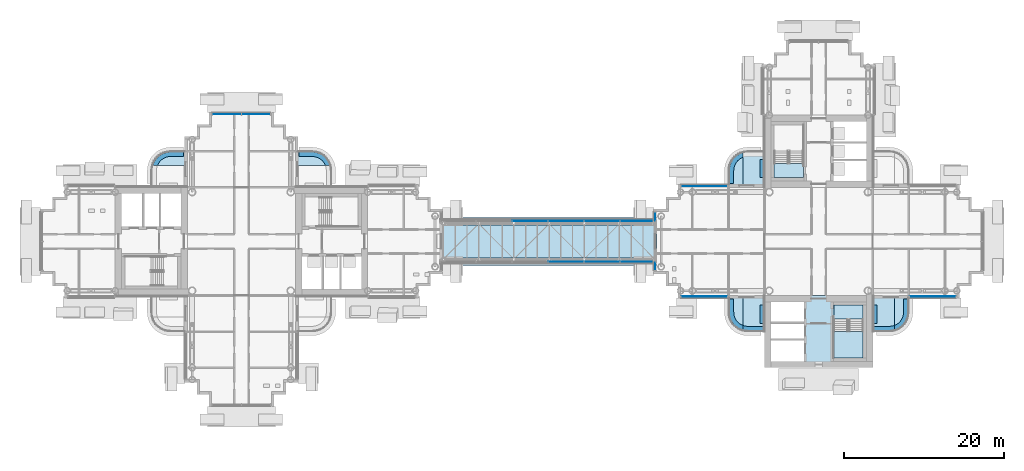
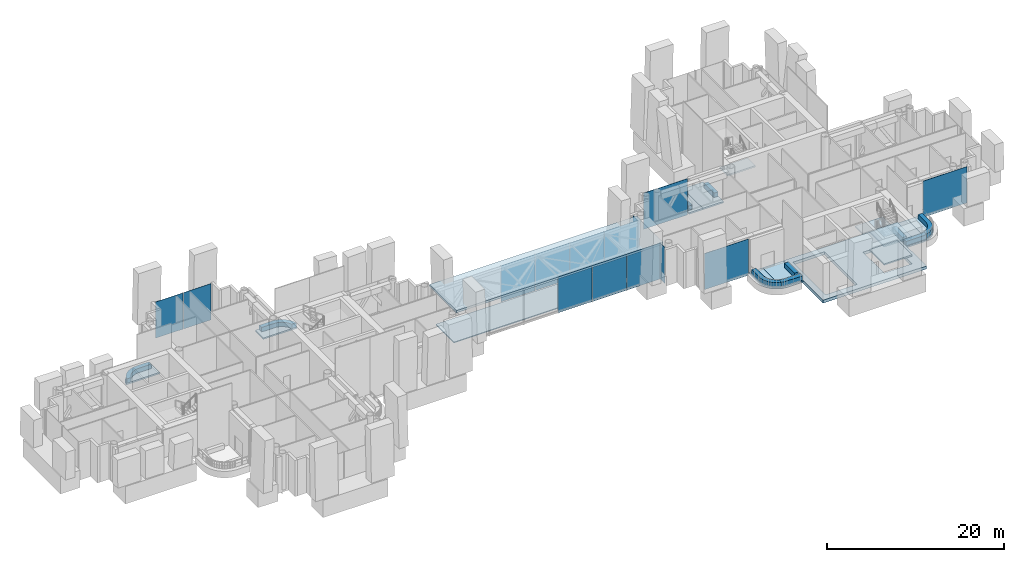
# One storey, part 10 of 34: 25 slabs, 14 plates, 10 elements without a shape of their own.
"""IFC4 building model written with IfcOpenShell, lengths in metres."""

from ifc_helpers import new_model, si_unit, direction, frame, origin, origin_2d, place, context, subcontext, project, spatial, polyline, rectangle, outline, extrude, material, layer, layer_set, type_object, element, aggregate, save


model = new_model("IFC4")

# Units and contexts
model_context = context("Model", 3, precision=1e-05, world=origin(), true_north=direction((0.0, 1.0)))
body_context = subcontext(model_context, "Body", "Model", "MODEL_VIEW")
ifc_project = project(units=[si_unit("LENGTHUNIT", "METRE"), si_unit("AREAUNIT", "SQUARE_METRE"), si_unit("VOLUMEUNIT", "CUBIC_METRE"), si_unit("PLANEANGLEUNIT", "RADIAN"), si_unit("MASSUNIT", "GRAM", prefix="KILO")], contexts=[model_context])

# Site, building, storey
site_placement = place(None, origin())
site = spatial("IfcSite", under=ifc_project, at=site_placement, CompositionType="ELEMENT")
building_placement = place(site_placement, origin())
building = spatial("IfcBuilding", under=site, at=building_placement, Name="Ipe Terrace Towers", CompositionType="ELEMENT")
storey_placement = place(building_placement, frame((0.0, 0.0, 128.699951171875)))
storey = spatial("IfcBuildingStorey", under=building, at=storey_placement, Name="L35", CompositionType="ELEMENT", Elevation=128.699951171875)

# Slabs
ifc_material_1 = material(Name="Concrete C30/37", Category="concrete")
ifc_layer_1 = layer(ifc_material_1, 0.199951171875)
ifc_layer_set_1 = layer_set([ifc_layer_1], Name="BALCONY SLAB 200")
slab_type_1 = type_object("IfcSlabType", Name="BALCONY SLAB 200", PredefinedType="FLOOR", material=ifc_layer_set_1)
slab_1_placement = place(storey_placement, frame((0.0, 0.0, -0.219970703125)))
element("IfcSlab", 1, at=slab_1_placement, inside=storey, type_object=slab_type_1, Name="balcony slab", PredefinedType="FLOOR", context=body_context, shape_type="SweptSolid", body=[
    extrude(outline(polyline([(-42.75, 11.25), (-44.85009765625, 11.25), (-45.1630859375, 11.22900390625), (-45.470947265625, 11.16796875), (-45.76806640625, 11.06689453125), (-46.050048828125, 10.927978515625), (-46.31103515625, 10.75390625), (-46.547119140625, 10.547119140625), (-46.75390625, 10.31103515625), (-46.927978515625, 10.050048828125), (-47.06689453125, 9.76806640625), (-47.16796875, 9.470947265625), (-47.172119140625, 9.449951171875), (-42.75, 9.449951171875), (-42.75, 11.25)])), origin(), (0.0, 0.0, 1.0), 0.199951171875),
])
slab_2_placement = place(storey_placement, frame((0.0, 0.0, -0.219970703125)))
element("IfcSlab", 2, at=slab_2_placement, inside=storey, type_object=slab_type_1, Name="balcony slab", PredefinedType="FLOOR", context=body_context, shape_type="SweptSolid", body=[
    extrude(outline(polyline([(-29.25, 11.25), (-29.25, 9.449951171875), (-24.827880859375, 9.449951171875), (-24.83203125, 9.470947265625), (-24.93310546875, 9.76806640625), (-25.072021484375, 10.050048828125), (-25.24609375, 10.31103515625), (-25.452880859375, 10.547119140625), (-25.68896484375, 10.75390625), (-25.949951171875, 10.927978515625), (-26.23193359375, 11.06689453125), (-26.529052734375, 11.16796875), (-26.8369140625, 11.22900390625), (-27.14990234375, 11.25), (-29.25, 11.25)])), origin(), (0.0, 0.0, 1.0), 0.199951171875),
])
slab_3_placement = place(storey_placement, frame((0.0, 0.0, -0.219970703125)))
element("IfcSlab", 3, at=slab_3_placement, inside=storey, type_object=slab_type_1, Name="balcony slab", PredefinedType="FLOOR", context=body_context, shape_type="SweptSolid", body=[
    extrude(outline(polyline([(26.8369140625, -11.22900390625), (27.14990234375, -11.25), (29.25, -11.25), (29.25, -6.75), (26.550048828125, -6.75), (26.550048828125, -11.172119140625), (26.8369140625, -11.22900390625)])), origin(), (0.0, 0.0, 1.0), 0.199951171875),
])
slab_4_placement = place(storey_placement, frame((0.0, 0.0, -0.219970703125)))
element("IfcSlab", 4, at=slab_4_placement, inside=storey, type_object=slab_type_1, Name="balcony slab", PredefinedType="FLOOR", context=body_context, shape_type="SweptSolid", body=[
    extrude(outline(polyline([(24.75, -6.75), (24.75, -8.85009765625), (24.77099609375, -9.1630859375), (24.83203125, -9.470947265625), (24.93310546875, -9.76806640625), (25.072021484375, -10.050048828125), (25.24609375, -10.31103515625), (25.452880859375, -10.547119140625), (25.68896484375, -10.75390625), (25.949951171875, -10.927978515625), (26.23193359375, -11.06689453125), (26.529052734375, -11.16796875), (26.550048828125, -11.172119140625), (26.550048828125, -6.75), (24.75, -6.75)])), origin(), (0.0, 0.0, 1.0), 0.199951171875),
])
slab_5_placement = place(storey_placement, frame((0.0, 0.0, -0.219970703125)))
element("IfcSlab", 5, at=slab_5_placement, inside=storey, type_object=slab_type_1, Name="balcony slab", PredefinedType="FLOOR", context=body_context, shape_type="SweptSolid", body=[
    extrude(outline(polyline([(26.8369140625, 11.22900390625), (26.550048828125, 11.172119140625), (26.550048828125, 6.75), (29.25, 6.75), (29.25, 11.25), (27.14990234375, 11.25), (26.8369140625, 11.22900390625)])), origin(), (0.0, 0.0, 1.0), 0.199951171875),
])
slab_6_placement = place(storey_placement, frame((0.0, 0.0, -0.219970703125)))
element("IfcSlab", 6, at=slab_6_placement, inside=storey, type_object=slab_type_1, Name="balcony slab", PredefinedType="FLOOR", context=body_context, shape_type="SweptSolid", body=[
    extrude(outline(polyline([(24.75, 6.75), (26.550048828125, 6.75), (26.550048828125, 11.172119140625), (26.529052734375, 11.16796875), (26.23193359375, 11.06689453125), (25.949951171875, 10.927978515625), (25.68896484375, 10.75390625), (25.452880859375, 10.547119140625), (25.24609375, 10.31103515625), (25.072021484375, 10.050048828125), (24.93310546875, 9.76806640625), (24.83203125, 9.470947265625), (24.77099609375, 9.1630859375), (24.75, 8.85009765625), (24.75, 6.75)])), origin(), (0.0, 0.0, 1.0), 0.199951171875),
])
slab_7_placement = place(storey_placement, frame((0.0, 0.0, -0.219970703125)))
element("IfcSlab", 7, at=slab_7_placement, inside=storey, type_object=slab_type_1, Name="balcony slab", PredefinedType="FLOOR", context=body_context, shape_type="SweptSolid", body=[
    extrude(outline(polyline([(45.1630859375, -11.22900390625), (45.449951171875, -11.172119140625), (45.449951171875, -6.75), (42.75, -6.75), (42.75, -11.25), (44.85009765625, -11.25), (45.1630859375, -11.22900390625)])), origin(), (0.0, 0.0, 1.0), 0.199951171875),
])
slab_8_placement = place(storey_placement, frame((0.0, 0.0, -0.219970703125)))
element("IfcSlab", 8, at=slab_8_placement, inside=storey, type_object=slab_type_1, Name="balcony slab", PredefinedType="FLOOR", context=body_context, shape_type="SweptSolid", body=[
    extrude(outline(polyline([(47.25, -6.75), (45.449951171875, -6.75), (45.449951171875, -11.172119140625), (45.470947265625, -11.16796875), (45.76806640625, -11.06689453125), (46.050048828125, -10.927978515625), (46.31103515625, -10.75390625), (46.547119140625, -10.547119140625), (46.75390625, -10.31103515625), (46.927978515625, -10.050048828125), (47.06689453125, -9.76806640625), (47.16796875, -9.470947265625), (47.22900390625, -9.1630859375), (47.25, -8.85009765625), (47.25, -6.75)])), origin(), (0.0, 0.0, 1.0), 0.199951171875),
])

# Curtain wall, plates
ifc_material_2 = material(Name="Aluminium alloy 6063-T6", Category="aluminium")
ifc_layer_2 = layer(ifc_material_2, 0.300048828125)
ifc_layer_set_2 = layer_set([ifc_layer_2], Name="BRIDGE ENCLOSURE CURTAIN WALL")
curtain_wall_type_1 = type_object("IfcCurtainWallType", Name="BRIDGE ENCLOSURE CURTAIN WALL", PredefinedType="NOTDEFINED", material=ifc_layer_set_2)
curtain_wall_1_placement = place(storey_placement, origin())
curtain_wall_1 = element("IfcCurtainWall", 9, at=curtain_wall_1_placement, inside=storey, type_object=curtain_wall_type_1, Name="BR2-CW1 curtain wall", PredefinedType="NOTDEFINED")
ifc_material_3 = material(Name="Glass, clear laminated", Category="glass")
ifc_layer_3 = layer(ifc_material_3, 0.035888671875)
ifc_layer_set_3 = layer_set([ifc_layer_3], Name="BRIDGE ENCLOSURE GLASS PANEL 36")
plate_type_1 = type_object("IfcPlateType", Name="BRIDGE ENCLOSURE GLASS PANEL 36", PredefinedType="CURTAIN_PANEL", material=ifc_layer_set_3)
plate_1_placement = place(storey_placement, frame((13.470947265625, 2.544921875, -0.300048828125), z_axis=(0.0, 0.0, 1.0), x_axis=(-1.0, 0.0, 0.0)))
plate_1 = element("IfcPlate", 10, at=plate_1_placement, type_object=plate_type_1, Name="BR2-CW1 panel 1", PredefinedType="CURTAIN_PANEL", context=body_context, shape_type="SweptSolid", body=[
    extrude(rectangle(XDim=4.418212890625, YDim=0.035888671875, at=origin_2d()), origin(), (0.0, 0.0, 1.0), 5.0),
])
plate_2_placement = place(storey_placement, frame((8.982421875, 2.544921875, -0.300048828125), z_axis=(0.0, 0.0, 1.0), x_axis=(-1.0, 0.0, 0.0)))
plate_2 = element("IfcPlate", 11, at=plate_2_placement, type_object=plate_type_1, Name="BR2-CW1 panel 2", PredefinedType="CURTAIN_PANEL", context=body_context, shape_type="SweptSolid", body=[
    extrude(rectangle(XDim=4.418212890625, YDim=0.035888671875, at=origin_2d()), origin(), (0.0, 0.0, 1.0), 5.0),
])
plate_3_placement = place(storey_placement, frame((4.494140625, 2.544921875, -0.300048828125), z_axis=(0.0, 0.0, 1.0), x_axis=(-1.0, 0.0, 0.0)))
plate_3 = element("IfcPlate", 12, at=plate_3_placement, type_object=plate_type_1, Name="BR2-CW1 panel 3", PredefinedType="CURTAIN_PANEL", context=body_context, shape_type="SweptSolid", body=[
    extrude(rectangle(XDim=4.418212890625, YDim=0.035888671875, at=origin_2d()), origin(), (0.0, 0.0, 1.0), 5.0),
])
plate_4_placement = place(storey_placement, frame((0.005859375, 2.544921875, -0.300048828125), z_axis=(0.0, 0.0, 1.0), x_axis=(-1.0, 0.0, 0.0)))
plate_4 = element("IfcPlate", 13, at=plate_4_placement, type_object=plate_type_1, Name="BR2-CW1 panel 4", PredefinedType="CURTAIN_PANEL", context=body_context, shape_type="SweptSolid", body=[
    extrude(rectangle(XDim=4.418212890625, YDim=0.035888671875, at=origin_2d()), origin(), (0.0, 0.0, 1.0), 5.0),
])
aggregate(curtain_wall_1, [plate_1, plate_2, plate_3, plate_4])

curtain_wall_2_placement = place(storey_placement, origin())
curtain_wall_2 = element("IfcCurtainWall", 14, at=curtain_wall_2_placement, inside=storey, type_object=curtain_wall_type_1, Name="BR2-CW2 curtain wall", PredefinedType="NOTDEFINED")
plate_5_placement = place(storey_placement, frame((4.494140625, -2.544921875, -0.300048828125), z_axis=(0.0, 0.0, 1.0), x_axis=(1.0, 0.0, 0.0)))
plate_5 = element("IfcPlate", 15, at=plate_5_placement, type_object=plate_type_1, Name="BR2-CW2 panel 4", PredefinedType="CURTAIN_PANEL", context=body_context, shape_type="SweptSolid", body=[
    extrude(rectangle(XDim=4.418212890625, YDim=0.035888671875, at=origin_2d()), origin(), (0.0, 0.0, 1.0), 5.0),
])
plate_6_placement = place(storey_placement, frame((8.982421875, -2.544921875, -0.300048828125), z_axis=(0.0, 0.0, 1.0), x_axis=(1.0, 0.0, 0.0)))
plate_6 = element("IfcPlate", 16, at=plate_6_placement, type_object=plate_type_1, Name="BR2-CW2 panel 5", PredefinedType="CURTAIN_PANEL", context=body_context, shape_type="SweptSolid", body=[
    extrude(rectangle(XDim=4.418212890625, YDim=0.035888671875, at=origin_2d()), origin(), (0.0, 0.0, 1.0), 5.0),
])
plate_7_placement = place(storey_placement, frame((13.470947265625, -2.544921875, -0.300048828125), z_axis=(0.0, 0.0, 1.0), x_axis=(1.0, 0.0, 0.0)))
plate_7 = element("IfcPlate", 17, at=plate_7_placement, type_object=plate_type_1, Name="BR2-CW2 panel 6", PredefinedType="CURTAIN_PANEL", context=body_context, shape_type="SweptSolid", body=[
    extrude(rectangle(XDim=4.418212890625, YDim=0.035888671875, at=origin_2d()), origin(), (0.0, 0.0, 1.0), 5.0),
])
aggregate(curtain_wall_2, [plate_5, plate_6, plate_7])

# Slabs
ifc_material_4 = material(Name="Concrete C30/37", Category="concrete")
ifc_layer_4 = layer(ifc_material_4, 0.300048828125)
ifc_layer_set_4 = layer_set([ifc_layer_4], Name="BRIDGE ROOF SLAB 300")
slab_type_2 = type_object("IfcSlabType", Name="BRIDGE ROOF SLAB 300", PredefinedType="ROOF", material=ifc_layer_set_4)
slab_9_placement = place(storey_placement, frame((0.0, 0.0, 4.699951171875)))
element("IfcSlab", 18, at=slab_9_placement, inside=storey, type_object=slab_type_2, Name="BR2 roof slab", PredefinedType="ROOF", context=body_context, shape_type="SweptSolid", body=[
    extrude(outline(polyline([(-11.25, -3.0), (15.75, -3.0), (15.75, 3.0), (-11.25, 3.0), (-11.25, -3.0)])), origin(), (0.0, 0.0, 1.0), 0.300048828125),
])
ifc_material_5 = material(Name="Concrete C30/37", Category="concrete")
ifc_layer_5 = layer(ifc_material_5, 0.1201171875)
ifc_layer_set_5 = layer_set([ifc_layer_5], Name="BRIDGE-DECK SLAB 120")
slab_type_3 = type_object("IfcSlabType", Name="BRIDGE-DECK SLAB 120", PredefinedType="FLOOR", material=ifc_layer_set_5)
slab_10_placement = place(storey_placement, frame((0.0, 0.0, -0.119873046875)))
element("IfcSlab", 19, at=slab_10_placement, inside=storey, type_object=slab_type_3, Name="BR2-DS bridge deck", PredefinedType="FLOOR", context=body_context, shape_type="SweptSolid", body=[
    extrude(outline(polyline([(-11.0, -2.050048828125), (15.75, -2.050048828125), (15.75, 2.050048828125), (-11.0, 2.050048828125), (-11.0, -2.050048828125)])), origin(), (0.0, 0.0, 1.0), 0.119873046875),
])
ifc_material_6 = material(Name="Concrete C30/37", Category="concrete")
ifc_layer_6 = layer(ifc_material_6, 0.39990234375)
ifc_layer_set_6 = layer_set([ifc_layer_6], Name="CORE FLOOR SLAB 400 C30-37")
slab_type_4 = type_object("IfcSlabType", Name="CORE FLOOR SLAB 400 C30-37", PredefinedType="FLOOR", material=ifc_layer_set_6)
slab_11_placement = place(storey_placement, frame((0.0, 0.0, -0.39990234375)))
element("IfcSlab", 20, at=slab_11_placement, inside=storey, type_object=slab_type_4, Name="Core floor T2-C2", PredefinedType="FLOOR", context=body_context, shape_type="SweptSolid", body=[
    extrude(outline(polyline([(29.25, -15.75), (29.25, -6.75), (42.75, -6.75), (42.75, -15.75), (29.25, -15.75)]), holes=[polyline([(34.14990234375, -14.949951171875), (34.14990234375, -7.550048828125), (30.050048828125, -7.550048828125), (30.050048828125, -14.949951171875), (34.14990234375, -14.949951171875)]), polyline([(41.550048828125, -9.800048828125), (37.89990234375, -9.800048828125), (37.89990234375, -14.550048828125), (41.550048828125, -14.550048828125), (41.550048828125, -9.800048828125)])]), origin(), (0.0, 0.0, 1.0), 0.39990234375),
])

# Stair, slab
ifc_material_7 = material(Name="Concrete C30/37", Category="concrete")
stair_type = type_object("IfcStairType", Name="Protected exit stair", PredefinedType="HALF_TURN_STAIR", material=ifc_material_7)
stair_1_placement = place(storey_placement, origin())
stair_1 = element("IfcStair", 21, at=stair_1_placement, inside=storey, type_object=stair_type, Name="L35 Exit stair T2-C1", PredefinedType="HALF_TURN_STAIR")
ifc_material_8 = material(Name="Concrete C30/37", Category="concrete")
ifc_layer_7 = layer(ifc_material_8, 0.199951171875)
ifc_layer_set_7 = layer_set([ifc_layer_7], Name="Exit stair landing 200")
slab_type_5 = type_object("IfcSlabType", Name="Exit stair landing 200", PredefinedType="LANDING", material=ifc_layer_set_7)
slab_12_placement = place(storey_placement, frame((0.0, 0.0, 2.300048828125)))
slab_12 = element("IfcSlab", 22, at=slab_12_placement, type_object=slab_type_5, Name="T2-ST1 landing 2", PredefinedType="LANDING", context=body_context, shape_type="SweptSolid", body=[
    extrude(outline(polyline([(34.10009765625, 7.949951171875), (34.10009765625, 9.699951171875), (30.449951171875, 9.699951171875), (30.449951171875, 7.949951171875), (34.10009765625, 7.949951171875)])), origin(), (0.0, 0.0, 1.0), 0.199951171875),
])
aggregate(stair_1, [slab_12])

# Stair, slabs
stair_2_placement = place(storey_placement, origin())
stair_2 = element("IfcStair", 23, at=stair_2_placement, inside=storey, type_object=stair_type, Name="L35 Exit stair T2-C2", PredefinedType="HALF_TURN_STAIR")
slab_13_placement = place(storey_placement, frame((0.0, 0.0, 1.050048828125)))
slab_13 = element("IfcSlab", 24, at=slab_13_placement, type_object=slab_type_5, Name="T2-ST2 landing 1", PredefinedType="LANDING", context=body_context, shape_type="SweptSolid", body=[
    extrude(outline(polyline([(37.89990234375, -11.260009765625), (37.89990234375, -14.550048828125), (41.550048828125, -14.550048828125), (41.550048828125, -11.260009765625), (37.89990234375, -11.260009765625)])), origin(), (0.0, 0.0, 1.0), 0.199951171875),
])
slab_14_placement = place(storey_placement, frame((0.0, 0.0, 2.300048828125)))
slab_14 = element("IfcSlab", 25, at=slab_14_placement, type_object=slab_type_5, Name="T2-ST2 landing 2", PredefinedType="LANDING", context=body_context, shape_type="SweptSolid", body=[
    extrude(outline(polyline([(37.89990234375, -7.949951171875), (37.89990234375, -9.699951171875), (41.550048828125, -9.699951171875), (41.550048828125, -7.949951171875), (37.89990234375, -7.949951171875)])), origin(), (0.0, 0.0, 1.0), 0.199951171875),
])
slab_15_placement = place(storey_placement, frame((0.0, 0.0, 3.550048828125)))
slab_15 = element("IfcSlab", 26, at=slab_15_placement, type_object=slab_type_5, Name="T2-ST2 landing 3", PredefinedType="LANDING", context=body_context, shape_type="SweptSolid", body=[
    extrude(outline(polyline([(37.89990234375, -11.260009765625), (37.89990234375, -14.550048828125), (41.550048828125, -14.550048828125), (41.550048828125, -11.260009765625), (37.89990234375, -11.260009765625)])), origin(), (0.0, 0.0, 1.0), 0.199951171875),
])
aggregate(stair_2, [slab_13, slab_14, slab_15])

# Slabs
ifc_material_9 = material(Name="Concrete C30/37", Category="concrete")
ifc_layer_8 = layer(ifc_material_9, 0.60009765625)
ifc_layer_set_8 = layer_set([ifc_layer_8], Name="PLANTER TROUGH 550 x 600")
slab_type_6 = type_object("IfcSlabType", Name="PLANTER TROUGH 550 x 600", PredefinedType="USERDEFINED", material=ifc_layer_set_8)
slab_16_placement = place(storey_placement, frame((0.0, 0.0, -0.02001953125)))
element("IfcSlab", 27, at=slab_16_placement, inside=storey, type_object=slab_type_6, Name="planter", ObjectType="PLANTER", PredefinedType="USERDEFINED", context=body_context, shape_type="SweptSolid", body=[
    extrude(outline(polyline([(-46.4560546875, 9.514892578125), (-46.35595703125, 9.718994140625), (-46.22900390625, 9.907958984375), (-46.0791015625, 10.0791015625), (-45.907958984375, 10.22900390625), (-45.718994140625, 10.35595703125), (-45.514892578125, 10.4560546875), (-45.300048828125, 10.529052734375), (-45.076904296875, 10.573974609375), (-44.827880859375, 10.590087890625), (-43.199951171875, 10.590087890625), (-43.199951171875, 11.139892578125), (-44.8369140625, 11.139892578125), (-44.85498046875, 11.138916015625), (-45.131103515625, 11.12109375), (-45.1669921875, 11.116943359375), (-45.425048828125, 11.06494140625), (-45.4599609375, 11.055908203125), (-45.708984375, 10.970947265625), (-45.741943359375, 10.95703125), (-45.97900390625, 10.841064453125), (-46.010009765625, 10.822998046875), (-46.22900390625, 10.677001953125), (-46.257080078125, 10.655029296875), (-46.4560546875, 10.48095703125), (-46.48095703125, 10.4560546875), (-46.655029296875, 10.257080078125), (-46.677001953125, 10.22900390625), (-46.822998046875, 10.010009765625), (-46.841064453125, 9.97900390625), (-46.95703125, 9.741943359375), (-46.970947265625, 9.708984375), (-47.055908203125, 9.4599609375), (-47.05908203125, 9.449951171875), (-46.47802734375, 9.449951171875), (-46.4560546875, 9.514892578125)])), origin(), (0.0, 0.0, 1.0), 0.60009765625),
])
slab_17_placement = place(storey_placement, frame((0.0, 0.0, -0.02001953125)))
element("IfcSlab", 28, at=slab_17_placement, inside=storey, type_object=slab_type_6, Name="planter", ObjectType="PLANTER", PredefinedType="USERDEFINED", context=body_context, shape_type="SweptSolid", body=[
    extrude(outline(polyline([(-25.5439453125, 9.514892578125), (-25.52197265625, 9.449951171875), (-24.94091796875, 9.449951171875), (-24.944091796875, 9.4599609375), (-25.029052734375, 9.708984375), (-25.04296875, 9.741943359375), (-25.158935546875, 9.97900390625), (-25.177001953125, 10.010009765625), (-25.322998046875, 10.22900390625), (-25.344970703125, 10.257080078125), (-25.51904296875, 10.4560546875), (-25.5439453125, 10.48095703125), (-25.742919921875, 10.655029296875), (-25.77099609375, 10.677001953125), (-25.989990234375, 10.822998046875), (-26.02099609375, 10.841064453125), (-26.258056640625, 10.95703125), (-26.291015625, 10.970947265625), (-26.5400390625, 11.055908203125), (-26.574951171875, 11.06494140625), (-26.8330078125, 11.116943359375), (-26.868896484375, 11.12109375), (-27.14501953125, 11.138916015625), (-27.1630859375, 11.139892578125), (-28.800048828125, 11.139892578125), (-28.800048828125, 10.590087890625), (-27.172119140625, 10.590087890625), (-26.923095703125, 10.573974609375), (-26.699951171875, 10.529052734375), (-26.485107421875, 10.4560546875), (-26.281005859375, 10.35595703125), (-26.092041015625, 10.22900390625), (-25.9208984375, 10.0791015625), (-25.77099609375, 9.907958984375), (-25.64404296875, 9.718994140625), (-25.5439453125, 9.514892578125)])), origin(), (0.0, 0.0, 1.0), 0.60009765625),
])
slab_18_placement = place(storey_placement, frame((0.0, 0.0, -0.02001953125)))
element("IfcSlab", 29, at=slab_18_placement, inside=storey, type_object=slab_type_6, Name="planter", ObjectType="PLANTER", PredefinedType="USERDEFINED", context=body_context, shape_type="SweptSolid", body=[
    extrude(outline(polyline([(26.699951171875, -10.529052734375), (26.550048828125, -10.47802734375), (26.550048828125, -11.05908203125), (26.574951171875, -11.06494140625), (26.8330078125, -11.116943359375), (26.868896484375, -11.12109375), (27.14501953125, -11.138916015625), (27.1630859375, -11.139892578125), (29.25, -11.139892578125), (29.25, -10.590087890625), (27.172119140625, -10.590087890625), (26.923095703125, -10.573974609375), (26.699951171875, -10.529052734375)])), origin(), (0.0, 0.0, 1.0), 0.60009765625),
])
slab_19_placement = place(storey_placement, frame((0.0, 0.0, -0.02001953125)))
element("IfcSlab", 30, at=slab_19_placement, inside=storey, type_object=slab_type_6, Name="planter", ObjectType="PLANTER", PredefinedType="USERDEFINED", context=body_context, shape_type="SweptSolid", body=[
    extrude(outline(polyline([(26.485107421875, -10.4560546875), (26.281005859375, -10.35595703125), (26.092041015625, -10.22900390625), (25.9208984375, -10.0791015625), (25.77099609375, -9.907958984375), (25.64404296875, -9.718994140625), (25.5439453125, -9.514892578125), (25.470947265625, -9.300048828125), (25.426025390625, -9.076904296875), (25.409912109375, -8.827880859375), (25.409912109375, -7.199951171875), (24.860107421875, -7.199951171875), (24.860107421875, -8.8369140625), (24.861083984375, -8.85498046875), (24.87890625, -9.131103515625), (24.883056640625, -9.1669921875), (24.93505859375, -9.425048828125), (24.944091796875, -9.4599609375), (25.029052734375, -9.708984375), (25.04296875, -9.741943359375), (25.158935546875, -9.97900390625), (25.177001953125, -10.010009765625), (25.322998046875, -10.22900390625), (25.344970703125, -10.257080078125), (25.51904296875, -10.4560546875), (25.5439453125, -10.48095703125), (25.742919921875, -10.655029296875), (25.77099609375, -10.677001953125), (25.989990234375, -10.822998046875), (26.02099609375, -10.841064453125), (26.258056640625, -10.95703125), (26.291015625, -10.970947265625), (26.5400390625, -11.055908203125), (26.550048828125, -11.05908203125), (26.550048828125, -10.47802734375), (26.485107421875, -10.4560546875)])), origin(), (0.0, 0.0, 1.0), 0.60009765625),
])
slab_20_placement = place(storey_placement, frame((0.0, 0.0, -0.02001953125)))
element("IfcSlab", 31, at=slab_20_placement, inside=storey, type_object=slab_type_6, Name="planter", ObjectType="PLANTER", PredefinedType="USERDEFINED", context=body_context, shape_type="SweptSolid", body=[
    extrude(outline(polyline([(29.25, -7.949951171875), (28.699951171875, -7.949951171875), (28.699951171875, -10.25), (29.25, -10.25), (29.25, -7.949951171875)])), origin(), (0.0, 0.0, 1.0), 0.60009765625),
])
slab_21_placement = place(storey_placement, frame((0.0, 0.0, -0.02001953125)))
element("IfcSlab", 32, at=slab_21_placement, inside=storey, type_object=slab_type_6, Name="planter", ObjectType="PLANTER", PredefinedType="USERDEFINED", context=body_context, shape_type="SweptSolid", body=[
    extrude(outline(polyline([(26.485107421875, 10.4560546875), (26.550048828125, 10.47802734375), (26.550048828125, 11.05908203125), (26.5400390625, 11.055908203125), (26.291015625, 10.970947265625), (26.258056640625, 10.95703125), (26.02099609375, 10.841064453125), (25.989990234375, 10.822998046875), (25.77099609375, 10.677001953125), (25.742919921875, 10.655029296875), (25.5439453125, 10.48095703125), (25.51904296875, 10.4560546875), (25.344970703125, 10.257080078125), (25.322998046875, 10.22900390625), (25.177001953125, 10.010009765625), (25.158935546875, 9.97900390625), (25.04296875, 9.741943359375), (25.029052734375, 9.708984375), (24.944091796875, 9.4599609375), (24.93505859375, 9.425048828125), (24.883056640625, 9.1669921875), (24.87890625, 9.131103515625), (24.861083984375, 8.85498046875), (24.860107421875, 8.8369140625), (24.860107421875, 7.199951171875), (25.409912109375, 7.199951171875), (25.409912109375, 8.827880859375), (25.426025390625, 9.076904296875), (25.470947265625, 9.300048828125), (25.5439453125, 9.514892578125), (25.64404296875, 9.718994140625), (25.77099609375, 9.907958984375), (25.9208984375, 10.0791015625), (26.092041015625, 10.22900390625), (26.281005859375, 10.35595703125), (26.485107421875, 10.4560546875)])), origin(), (0.0, 0.0, 1.0), 0.60009765625),
])
slab_22_placement = place(storey_placement, frame((0.0, 0.0, -0.02001953125)))
element("IfcSlab", 33, at=slab_22_placement, inside=storey, type_object=slab_type_6, Name="planter", ObjectType="PLANTER", PredefinedType="USERDEFINED", context=body_context, shape_type="SweptSolid", body=[
    extrude(outline(polyline([(29.25, 7.949951171875), (29.25, 10.25), (28.699951171875, 10.25), (28.699951171875, 7.949951171875), (29.25, 7.949951171875)])), origin(), (0.0, 0.0, 1.0), 0.60009765625),
])
slab_23_placement = place(storey_placement, frame((0.0, 0.0, -0.02001953125)))
element("IfcSlab", 34, at=slab_23_placement, inside=storey, type_object=slab_type_6, Name="planter", ObjectType="PLANTER", PredefinedType="USERDEFINED", context=body_context, shape_type="SweptSolid", body=[
    extrude(outline(polyline([(45.300048828125, -10.529052734375), (45.076904296875, -10.573974609375), (44.827880859375, -10.590087890625), (42.75, -10.590087890625), (42.75, -11.139892578125), (44.8369140625, -11.139892578125), (44.85498046875, -11.138916015625), (45.131103515625, -11.12109375), (45.1669921875, -11.116943359375), (45.425048828125, -11.06494140625), (45.449951171875, -11.05908203125), (45.449951171875, -10.47802734375), (45.300048828125, -10.529052734375)])), origin(), (0.0, 0.0, 1.0), 0.60009765625),
])
slab_24_placement = place(storey_placement, frame((0.0, 0.0, -0.02001953125)))
element("IfcSlab", 35, at=slab_24_placement, inside=storey, type_object=slab_type_6, Name="planter", ObjectType="PLANTER", PredefinedType="USERDEFINED", context=body_context, shape_type="SweptSolid", body=[
    extrude(outline(polyline([(45.514892578125, -10.4560546875), (45.449951171875, -10.47802734375), (45.449951171875, -11.05908203125), (45.4599609375, -11.055908203125), (45.708984375, -10.970947265625), (45.741943359375, -10.95703125), (45.97900390625, -10.841064453125), (46.010009765625, -10.822998046875), (46.22900390625, -10.677001953125), (46.257080078125, -10.655029296875), (46.4560546875, -10.48095703125), (46.48095703125, -10.4560546875), (46.655029296875, -10.257080078125), (46.677001953125, -10.22900390625), (46.822998046875, -10.010009765625), (46.841064453125, -9.97900390625), (46.95703125, -9.741943359375), (46.970947265625, -9.708984375), (47.055908203125, -9.4599609375), (47.06494140625, -9.425048828125), (47.116943359375, -9.1669921875), (47.12109375, -9.131103515625), (47.138916015625, -8.85498046875), (47.139892578125, -8.8369140625), (47.139892578125, -7.199951171875), (46.590087890625, -7.199951171875), (46.590087890625, -8.827880859375), (46.573974609375, -9.076904296875), (46.529052734375, -9.300048828125), (46.4560546875, -9.514892578125), (46.35595703125, -9.718994140625), (46.22900390625, -9.907958984375), (46.0791015625, -10.0791015625), (45.907958984375, -10.22900390625), (45.718994140625, -10.35595703125), (45.514892578125, -10.4560546875)])), origin(), (0.0, 0.0, 1.0), 0.60009765625),
])
slab_25_placement = place(storey_placement, frame((0.0, 0.0, -0.02001953125)))
element("IfcSlab", 36, at=slab_25_placement, inside=storey, type_object=slab_type_6, Name="planter", ObjectType="PLANTER", PredefinedType="USERDEFINED", context=body_context, shape_type="SweptSolid", body=[
    extrude(outline(polyline([(42.75, -7.949951171875), (42.75, -10.25), (43.300048828125, -10.25), (43.300048828125, -7.949951171875), (42.75, -7.949951171875)])), origin(), (0.0, 0.0, 1.0), 0.60009765625),
])

# Curtain wall, plates
ifc_material_10 = material(Name="Aluminium alloy 6063-T6", Category="aluminium")
ifc_layer_9 = layer(ifc_material_10, 0.320068359375)
ifc_layer_set_9 = layer_set([ifc_layer_9], Name="REFUGE FLOOR CURTAIN WALL")
curtain_wall_type_2 = type_object("IfcCurtainWallType", Name="REFUGE FLOOR CURTAIN WALL", PredefinedType="NOTDEFINED", material=ifc_layer_set_9)
curtain_wall_3_placement = place(storey_placement, origin())
curtain_wall_3 = element("IfcCurtainWall", 37, at=curtain_wall_3_placement, inside=storey, type_object=curtain_wall_type_2, Name="T1-CW-L35-38a curtain wall", PredefinedType="NOTDEFINED")
ifc_material_11 = material(Name="Glass, clear laminated", Category="glass")
ifc_layer_10 = layer(ifc_material_11, 0.035888671875)
ifc_layer_set_10 = layer_set([ifc_layer_10], Name="REFUGE FLOOR GLASS PANEL 36")
plate_type_2 = type_object("IfcPlateType", Name="REFUGE FLOOR GLASS PANEL 36", PredefinedType="CURTAIN_PANEL", material=ifc_layer_set_10)
plate_8_placement = place(storey_placement, frame((-34.17626953125, 15.8701171875, -0.300048828125), z_axis=(0.0, 0.0, 1.0), x_axis=(-1.0, 0.0, 0.0)))
plate_8 = element("IfcPlate", 38, at=plate_8_placement, type_object=plate_type_2, Name="T1-CW-L35-38a panel 1", PredefinedType="CURTAIN_PANEL", context=body_context, shape_type="SweptSolid", body=[
    extrude(rectangle(XDim=3.572509765625, YDim=0.035888671875, at=origin_2d()), origin(), (0.0, 0.0, 1.0), 5.0),
])
plate_9_placement = place(storey_placement, frame((-37.82373046875, 15.8701171875, -0.300048828125), z_axis=(0.0, 0.0, 1.0), x_axis=(-1.0, 0.0, 0.0)))
plate_9 = element("IfcPlate", 39, at=plate_9_placement, type_object=plate_type_2, Name="T1-CW-L35-38a panel 2", PredefinedType="CURTAIN_PANEL", context=body_context, shape_type="SweptSolid", body=[
    extrude(rectangle(XDim=3.572509765625, YDim=0.035888671875, at=origin_2d()), origin(), (0.0, 0.0, 1.0), 5.0),
])
aggregate(curtain_wall_3, [plate_8, plate_9])

# Curtain wall, plate
curtain_wall_4_placement = place(storey_placement, origin())
curtain_wall_4 = element("IfcCurtainWall", 40, at=curtain_wall_4_placement, inside=storey, type_object=curtain_wall_type_2, Name="T2-CW-L35-34a curtain wall", PredefinedType="NOTDEFINED")
plate_10_placement = place(storey_placement, frame((15.6298828125, 3.0, -0.300048828125), z_axis=(0.0, 0.0, 1.0), x_axis=(0.0, -1.0, 0.0)))
plate_10 = element("IfcPlate", 41, at=plate_10_placement, type_object=plate_type_2, Name="T2-CW-L35-34a panel 1", PredefinedType="CURTAIN_PANEL", context=body_context, shape_type="SweptSolid", body=[
    extrude(rectangle(XDim=1.219970703125, YDim=0.035888671875, at=origin_2d()), origin(), (0.0, 0.0, 1.0), 5.0),
])
aggregate(curtain_wall_4, [plate_10])

curtain_wall_5_placement = place(storey_placement, origin())
curtain_wall_5 = element("IfcCurtainWall", 42, at=curtain_wall_5_placement, inside=storey, type_object=curtain_wall_type_2, Name="T2-CW-L35-34c curtain wall", PredefinedType="NOTDEFINED")
plate_11_placement = place(storey_placement, frame((15.6298828125, -3.0, -0.300048828125), z_axis=(0.0, 0.0, 1.0), x_axis=(0.0, -1.0, 0.0)))
plate_11 = element("IfcPlate", 43, at=plate_11_placement, type_object=plate_type_2, Name="T2-CW-L35-34c panel 1", PredefinedType="CURTAIN_PANEL", context=body_context, shape_type="SweptSolid", body=[
    extrude(rectangle(XDim=1.219970703125, YDim=0.035888671875, at=origin_2d()), origin(), (0.0, 0.0, 1.0), 5.0),
])
aggregate(curtain_wall_5, [plate_11])

curtain_wall_6_placement = place(storey_placement, origin())
curtain_wall_6 = element("IfcCurtainWall", 44, at=curtain_wall_6_placement, inside=storey, type_object=curtain_wall_type_2, Name="T2-CW-L35-03a curtain wall", PredefinedType="NOTDEFINED")
ifc_material_12 = material(Name="Insulated spandrel panel, stone-effect cladding", Category="masonry")
ifc_layer_11 = layer(ifc_material_12, 0.035888671875)
ifc_layer_set_11 = layer_set([ifc_layer_11], Name="REFUGE FLOOR SPANDREL PANEL 36")
plate_type_3 = type_object("IfcPlateType", Name="REFUGE FLOOR SPANDREL PANEL 36", PredefinedType="CURTAIN_PANEL", material=ifc_layer_set_11)
plate_12_placement = place(storey_placement, frame((50.25, -6.8701171875, -0.300048828125), z_axis=(0.0, 0.0, 1.0), x_axis=(1.0, 0.0, 0.0)))
plate_12 = element("IfcPlate", 45, at=plate_12_placement, type_object=plate_type_3, Name="T2-CW-L35-03a panel 1", PredefinedType="CURTAIN_PANEL", context=body_context, shape_type="SweptSolid", body=[
    extrude(rectangle(XDim=5.719970703125, YDim=0.035888671875, at=origin_2d()), origin(), (0.0, 0.0, 1.0), 5.0),
])
aggregate(curtain_wall_6, [plate_12])

curtain_wall_7_placement = place(storey_placement, origin())
curtain_wall_7 = element("IfcCurtainWall", 46, at=curtain_wall_7_placement, inside=storey, type_object=curtain_wall_type_2, Name="T2-CW-L35-29a curtain wall", PredefinedType="NOTDEFINED")
plate_13_placement = place(storey_placement, frame((21.75, 6.8701171875, -0.300048828125), z_axis=(0.0, 0.0, 1.0), x_axis=(-1.0, 0.0, 0.0)))
plate_13 = element("IfcPlate", 47, at=plate_13_placement, type_object=plate_type_3, Name="T2-CW-L35-29a panel 1", PredefinedType="CURTAIN_PANEL", context=body_context, shape_type="SweptSolid", body=[
    extrude(rectangle(XDim=5.719970703125, YDim=0.035888671875, at=origin_2d()), origin(), (0.0, 0.0, 1.0), 5.0),
])
aggregate(curtain_wall_7, [plate_13])

curtain_wall_8_placement = place(storey_placement, origin())
curtain_wall_8 = element("IfcCurtainWall", 48, at=curtain_wall_8_placement, inside=storey, type_object=curtain_wall_type_2, Name="T2-CW-L35-39a curtain wall", PredefinedType="NOTDEFINED")
plate_14_placement = place(storey_placement, frame((21.75, -6.8701171875, -0.300048828125), z_axis=(0.0, 0.0, 1.0), x_axis=(1.0, 0.0, 0.0)))
plate_14 = element("IfcPlate", 49, at=plate_14_placement, type_object=plate_type_3, Name="T2-CW-L35-39a panel 1", PredefinedType="CURTAIN_PANEL", context=body_context, shape_type="SweptSolid", body=[
    extrude(rectangle(XDim=5.719970703125, YDim=0.035888671875, at=origin_2d()), origin(), (0.0, 0.0, 1.0), 5.0),
])
aggregate(curtain_wall_8, [plate_14])

save(model, "model.ifc")
